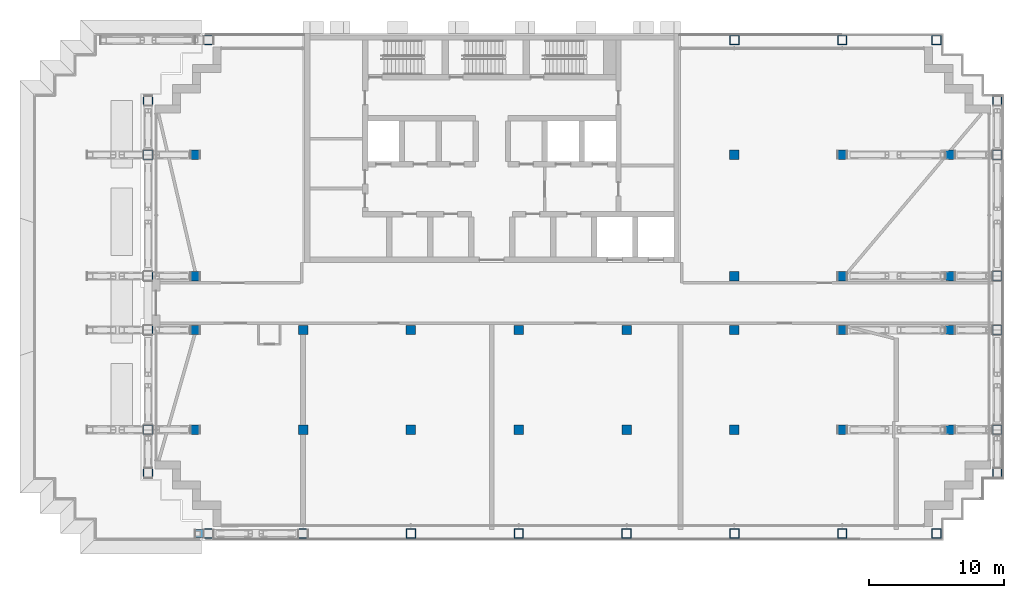
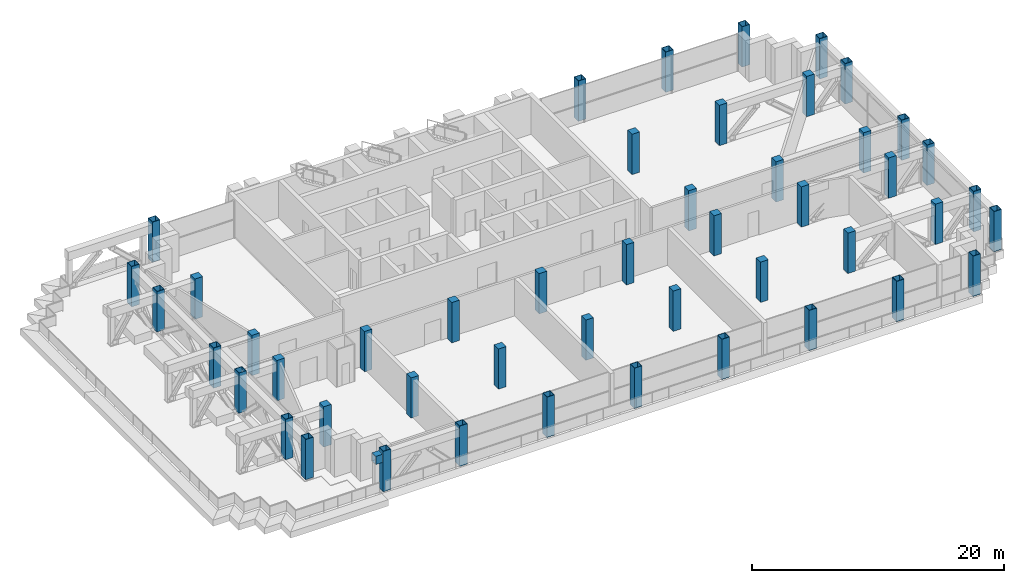
# One storey, part 1 of 21: 48 columns, 1 member.
"""IFC4 building model written with IfcOpenShell, lengths in metres."""

from ifc_helpers import new_model, si_unit, direction, frame, origin, origin_2d, place, context, subcontext, project, spatial, rectangle, hollow_rectangle, extrude, material, material_profile, profile_set, type_object, element, save


model = new_model("IFC4")

# Units and contexts
model_context = context("Model", 3, precision=1e-05, world=origin(), true_north=direction((0.0, 1.0)))
body_context = subcontext(model_context, "Body", "Model", "MODEL_VIEW")
ifc_project = project(units=[si_unit("LENGTHUNIT", "METRE"), si_unit("AREAUNIT", "SQUARE_METRE"), si_unit("VOLUMEUNIT", "CUBIC_METRE"), si_unit("PLANEANGLEUNIT", "RADIAN"), si_unit("MASSUNIT", "GRAM", prefix="KILO")], contexts=[model_context])

# Site, building, storey
site_placement = place(None, origin())
site = spatial("IfcSite", under=ifc_project, at=site_placement, CompositionType="ELEMENT")
building_placement = place(site_placement, origin())
building = spatial("IfcBuilding", under=site, at=building_placement, Name="Vidyagriha Tower", CompositionType="ELEMENT")
storey_placement = place(building_placement, frame((0.0, 0.0, 161.39990234375)))
storey = spatial("IfcBuildingStorey", under=building, at=storey_placement, Name="L41", CompositionType="ELEMENT", Elevation=161.39990234375)

# Columns
ifc_material_1 = material(Name="Steel ASTM A572 Grade 50", Category="steel")
ifc_material_profile_1 = material_profile(ifc_material_1, hollow_rectangle(XDim=0.699951171875, YDim=0.699951171875, WallThickness=0.035888671875, at=origin_2d()), Name="BOX 700x700x36")
ifc_profile_set_1 = profile_set([ifc_material_profile_1], Name="Steel ASTM A572 Grade 50")
column_type_1 = type_object("IfcColumnType", Name="Exoskeleton column BOX 700x700x36", PredefinedType="COLUMN", material=ifc_profile_set_1)
for number, where, name in (
    (1, (-21.0, -17.10009765625, 0.0), "st-col-L41-B4-001"),
    (2, (-14.0, -17.10009765625, 0.0), "st-col-L41-B4-002"),
    (3, (-6.0, -17.10009765625, 0.0), "st-col-L41-B4-003"),
    (4, (2.0, -17.10009765625, 0.0), "st-col-L41-B4-004"),
    (5, (10.0, -17.10009765625, 0.0), "st-col-L41-B4-005"),
    (6, (18.0, -17.10009765625, 0.0), "st-col-L41-B4-006"),
    (7, (26.0, -17.10009765625, 0.0), "st-col-L41-B4-007"),
    (8, (33.0, -17.10009765625, 0.0), "st-col-L41-B4-008"),
    (9, (-25.5, -12.60009765625, 0.0), "st-col-L41-B4-009"),
    (10, (37.5, -12.60009765625, 0.0), "st-col-L41-B4-010"),
    (11, (-25.5, -9.39990234375, 0.0), "st-col-L41-B4-011"),
    (12, (37.5, -9.39990234375, 0.0), "st-col-L41-B4-020"),
    (13, (-25.5, -2.0, 0.0), "st-col-L41-B4-021"),
    (14, (37.5, -2.0, 0.0), "st-col-L41-B4-030"),
    (15, (-25.5, 2.0, 0.0), "st-col-L41-B4-031"),
    (16, (37.5, 2.0, 0.0), "st-col-L41-B4-036"),
    (17, (-25.5, 11.0, 0.0), "st-col-L41-B4-037"),
    (18, (37.5, 11.0, 0.0), "st-col-L41-B4-042"),
    (19, (-25.5, 15.0, 0.0), "st-col-L41-B4-043"),
    (20, (37.5, 15.0, 0.0), "st-col-L41-B4-044"),
    (21, (-21.0, 19.5, 0.0), "st-col-L41-B4-045"),
    (22, (18.0, 19.5, 0.0), "st-col-L41-B4-046"),
    (23, (26.0, 19.5, 0.0), "st-col-L41-B4-047"),
    (24, (33.0, 19.5, 0.0), "st-col-L41-B4-048"),
):
    element("IfcColumn", number, at=place(storey_placement, frame(where)), inside=storey, type_object=column_type_1, Name=name, PredefinedType="COLUMN", context=body_context, shape_type="SweptSolid", body=[
        extrude(hollow_rectangle(XDim=0.699951171875, YDim=0.699951171875, WallThickness=0.035888671875, at=origin_2d()), origin(), (0.0, 0.0, 1.0), 3.900146484375),
    ])
ifc_material_2 = material(Name="Concrete C60/75", Category="concrete")
ifc_material_profile_2 = material_profile(ifc_material_2, rectangle(XDim=0.699951171875, YDim=0.699951171875, at=origin_2d()), Name="RC 700x700")
ifc_profile_set_2 = profile_set([ifc_material_profile_2], Name="Concrete C60/75")
column_type_2 = type_object("IfcColumnType", Name="Frame column RC 700x700", PredefinedType="COLUMN", material=ifc_profile_set_2)
for number, where, name in (
    (25, (-22.0, -9.39990234375, 0.0), "st-col-L41-B4-012"),
    (26, (-14.0, -9.39990234375, 0.0), "st-col-L41-B4-013"),
    (27, (-6.0, -9.39990234375, 0.0), "st-col-L41-B4-014"),
    (28, (2.0, -9.39990234375, 0.0), "st-col-L41-B4-015"),
    (29, (10.0, -9.39990234375, 0.0), "st-col-L41-B4-016"),
    (30, (18.0, -9.39990234375, 0.0), "st-col-L41-B4-017"),
    (31, (26.0, -9.39990234375, 0.0), "st-col-L41-B4-018"),
    (32, (34.0, -9.39990234375, 0.0), "st-col-L41-B4-019"),
    (33, (-22.0, -2.0, 0.0), "st-col-L41-B4-022"),
    (34, (-14.0, -2.0, 0.0), "st-col-L41-B4-023"),
    (35, (-6.0, -2.0, 0.0), "st-col-L41-B4-024"),
    (36, (2.0, -2.0, 0.0), "st-col-L41-B4-025"),
    (37, (10.0, -2.0, 0.0), "st-col-L41-B4-026"),
    (38, (18.0, -2.0, 0.0), "st-col-L41-B4-027"),
    (39, (26.0, -2.0, 0.0), "st-col-L41-B4-028"),
    (40, (34.0, -2.0, 0.0), "st-col-L41-B4-029"),
    (41, (-22.0, 2.0, 0.0), "st-col-L41-B4-032"),
    (42, (18.0, 2.0, 0.0), "st-col-L41-B4-033"),
    (43, (26.0, 2.0, 0.0), "st-col-L41-B4-034"),
    (44, (34.0, 2.0, 0.0), "st-col-L41-B4-035"),
    (45, (-22.0, 11.0, 0.0), "st-col-L41-B4-038"),
    (46, (18.0, 11.0, 0.0), "st-col-L41-B4-039"),
    (47, (26.0, 11.0, 0.0), "st-col-L41-B4-040"),
    (48, (34.0, 11.0, 0.0), "st-col-L41-B4-041"),
):
    element("IfcColumn", number, at=place(storey_placement, frame(where)), inside=storey, type_object=column_type_2, Name=name, PredefinedType="COLUMN", context=body_context, shape_type="SweptSolid", body=[
        extrude(rectangle(XDim=0.699951171875, YDim=0.699951171875, at=origin_2d()), origin(), (0.0, 0.0, 1.0), 3.900146484375),
    ])

# Member
ifc_material_3 = material(Name="Steel ASTM A572 Grade 50", Category="steel")
ifc_material_profile_3 = material_profile(ifc_material_3, hollow_rectangle(XDim=0.60009765625, YDim=0.800048828125, WallThickness=0.034912109375, at=origin_2d()), Name="BOX 800x600x35")
ifc_profile_set_3 = profile_set([ifc_material_profile_3], Name="Steel ASTM A572 Grade 50")
member_type = type_object("IfcMemberType", Name="Transfer truss chord BOX 800x600x35", PredefinedType="CHORD", material=ifc_profile_set_3)
member_placement = place(storey_placement, frame((-22.0, -17.10009765625, 3.22021484375), z_axis=(1.0, 0.0, 0.0), x_axis=(0.0, 1.0, 0.0)))
element("IfcMember", 49, at=member_placement, inside=storey, type_object=member_type, Name="st-truss-L41-T00-T00", PredefinedType="CHORD", context=body_context, shape_type="SweptSolid", body=[
    extrude(hollow_rectangle(XDim=0.60009765625, YDim=0.800048828125, WallThickness=0.034912109375, at=origin_2d()), origin(), (0.0, 0.0, 1.0), 0.630615234375),
])

save(model, "model.ifc")
